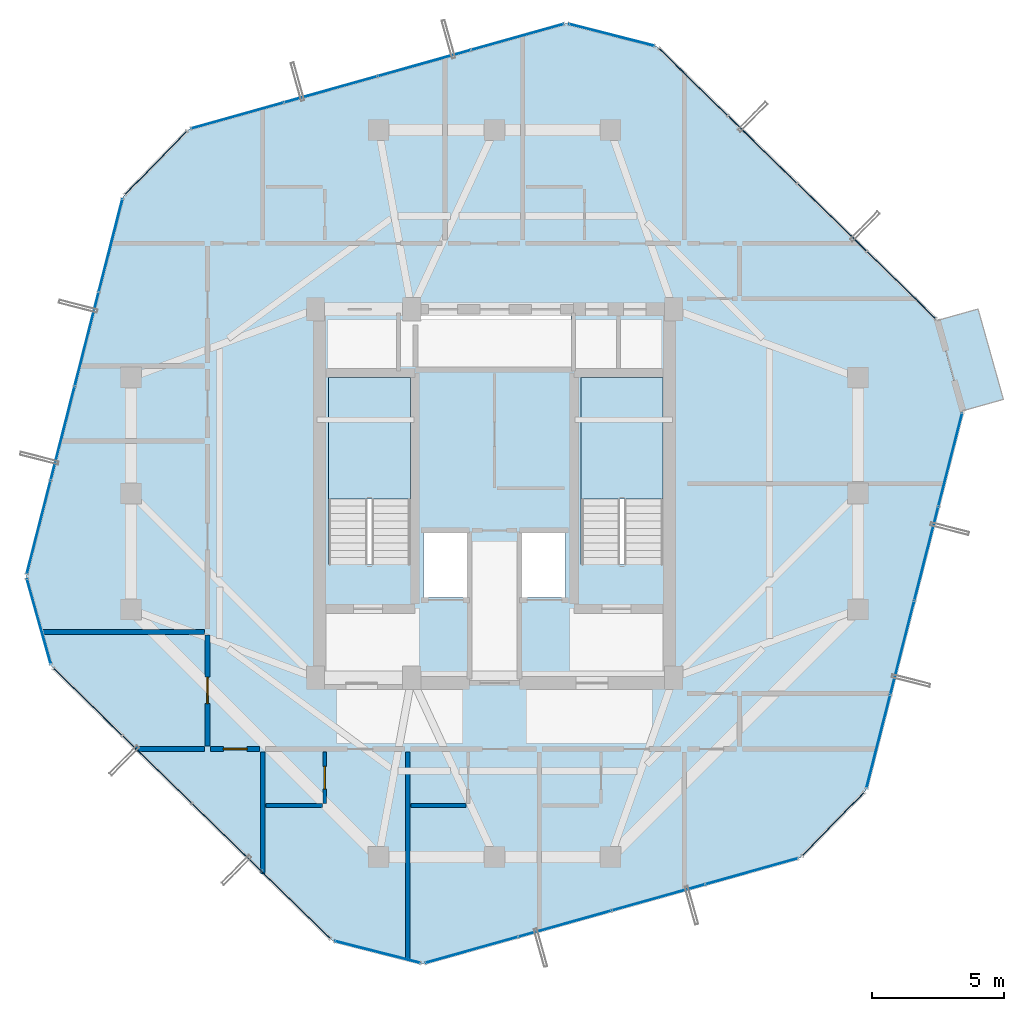
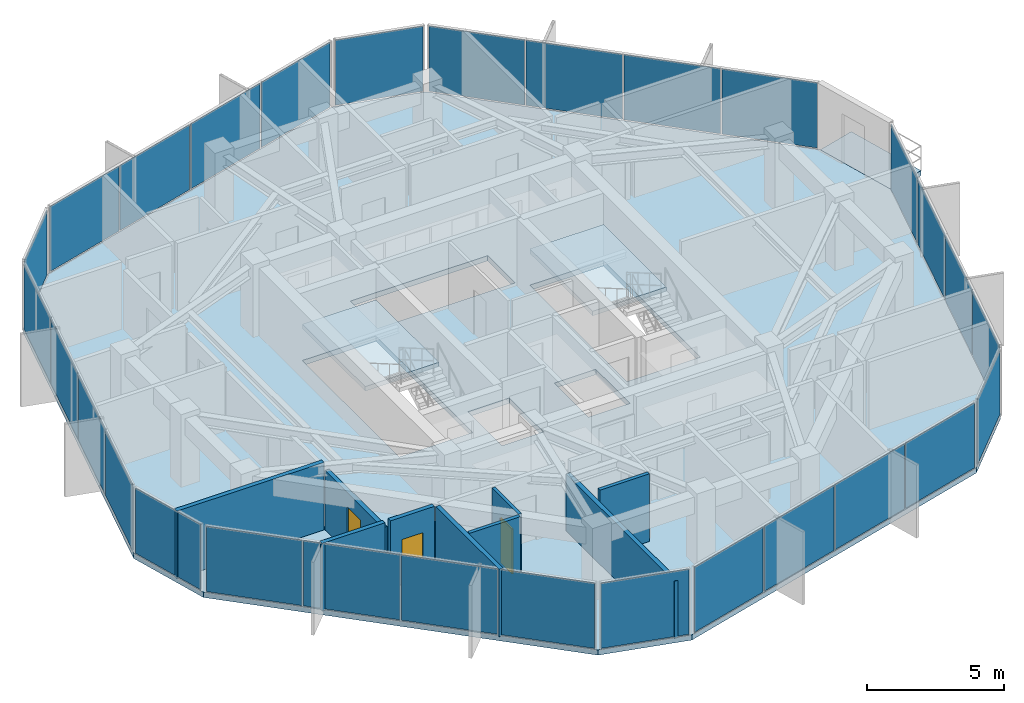
# One storey, part 24 of 29: 29 plates, 9 walls, 4 slabs, 3 doors, 3 openings, 13 elements without a shape of their own.
"""IFC4 building model written with IfcOpenShell, lengths in metres."""

from ifc_helpers import new_model, si_unit, direction, frame, frame_2d, origin, origin_2d, place, context, subcontext, project, spatial, polyline, rectangle, outline, extrude, source, transform, mapped, material, layer, layer_set, type_object, element, fill, aggregate, save


model = new_model("IFC4")

# Units and contexts
model_context = context("Model", 3, precision=1e-05, world=origin(), true_north=direction((0.0, 1.0)))
body_context = subcontext(model_context, "Body", "Model", "MODEL_VIEW")
ifc_project = project(units=[si_unit("LENGTHUNIT", "METRE"), si_unit("AREAUNIT", "SQUARE_METRE"), si_unit("VOLUMEUNIT", "CUBIC_METRE"), si_unit("PLANEANGLEUNIT", "RADIAN"), si_unit("MASSUNIT", "GRAM", prefix="KILO")], contexts=[model_context])

# Site, building, storey
site_placement = place(None, origin())
site = spatial("IfcSite", under=ifc_project, at=site_placement, CompositionType="ELEMENT")
building_placement = place(site_placement, origin())
building = spatial("IfcBuilding", under=site, at=building_placement, Name="Veraguas Prism Commons", CompositionType="ELEMENT")
storey_placement = place(building_placement, frame((0.0, 0.0, 257.75)))
storey = spatial("IfcBuildingStorey", under=building, at=storey_placement, Name="L73", CompositionType="ELEMENT", Elevation=257.75)

# Stair, slab
ifc_material_1 = material(Name="Precast concrete C45/55", Category="concrete")
stair_type = type_object("IfcStairType", Name="Dogleg Core Stair 1480W 20R 05", PredefinedType="HALF_TURN_STAIR", material=ifc_material_1)
stair_1_placement = place(storey_placement, origin())
stair_1 = element("IfcStair", 1, at=stair_1_placement, inside=storey, type_object=stair_type, Name="Protected Exit Stair ST-01 L73", PredefinedType="HALF_TURN_STAIR")
ifc_layer_1 = layer(ifc_material_1, 0.199951171875, Name="Precast Stair and Ramp Landing Slab 200", Category="concrete")
ifc_layer_set_1 = layer_set([ifc_layer_1], Name="Precast concrete C45/55")
slab_type_1 = type_object("IfcSlabType", Name="Precast Stair and Ramp Landing Slab 200", PredefinedType="LANDING", material=ifc_layer_set_1)
slab_1_placement = place(storey_placement, frame((0.0, 0.0, 1.425048828125)))
slab_1 = element("IfcSlab", 2, at=slab_1_placement, type_object=slab_type_1, Name="ST-05 Landing 1", PredefinedType="LANDING", context=body_context, shape_type="SweptSolid", body=[
    extrude(outline(polyline([(20.800048828125, 23.800048828125), (20.800048828125, 28.39990234375), (17.68994140625, 28.39990234375), (17.68994140625, 23.800048828125), (20.800048828125, 23.800048828125)])), origin(), (0.0, 0.0, 1.0), 0.199951171875),
])
aggregate(stair_1, [slab_1])

stair_2_placement = place(storey_placement, origin())
stair_2 = element("IfcStair", 3, at=stair_2_placement, inside=storey, type_object=stair_type, Name="Protected Exit Stair ST-02 L73", PredefinedType="HALF_TURN_STAIR")
slab_2_placement = place(storey_placement, frame((0.0, 0.0, 1.425048828125)))
slab_2 = element("IfcSlab", 4, at=slab_2_placement, type_object=slab_type_1, Name="ST-05 Landing 1", PredefinedType="LANDING", context=body_context, shape_type="SweptSolid", body=[
    extrude(outline(polyline([(30.39990234375, 23.800048828125), (30.39990234375, 28.39990234375), (27.2900390625, 28.39990234375), (27.2900390625, 23.800048828125), (30.39990234375, 23.800048828125)])), origin(), (0.0, 0.0, 1.0), 0.199951171875),
])
aggregate(stair_2, [slab_2])

# Slabs
ifc_material_2 = material(Name="Concrete C45/55", Category="concrete")
ifc_layer_2 = layer(ifc_material_2, 0.219970703125, Name="Recessed Loggia and Terrace Slab RC 220", Category="concrete")
ifc_layer_set_2 = layer_set([ifc_layer_2], Name="Concrete C45/55")
slab_type_2 = type_object("IfcSlabType", Name="Recessed Loggia and Terrace Slab RC 220", PredefinedType="FLOOR", material=ifc_layer_set_2)
slab_3_placement = place(storey_placement, frame((0.0, 0.0, -0.219970703125)))
element("IfcSlab", 5, at=slab_3_placement, inside=storey, type_object=slab_type_2, Name="Recessed Corner Loggia L73-C1", PredefinedType="FLOOR", context=body_context, shape_type="SweptSolid", body=[
    extrude(outline(polyline([(41.764892578125, 27.13671875), (43.32470703125, 27.574462890625), (42.36181640625, 31.00439453125), (40.802001953125, 30.566650390625), (41.764892578125, 27.13671875)])), origin(), (0.0, 0.0, 1.0), 0.219970703125),
])
ifc_layer_3 = layer(ifc_material_2, 0.235107421875, Name="Tower Upper Residential Floor Slab RC 235", Category="concrete")
ifc_layer_set_3 = layer_set([ifc_layer_3], Name="Concrete C45/55")
slab_type_3 = type_object("IfcSlabType", Name="Tower Upper Residential Floor Slab RC 235", PredefinedType="FLOOR", material=ifc_layer_set_3)
slab_4_placement = place(storey_placement, frame((0.0, 0.0, -0.235107421875)))
element("IfcSlab", 6, at=slab_4_placement, inside=storey, type_object=slab_type_3, Name="Tower Floor Slab L73", PredefinedType="FLOOR", context=body_context, shape_type="SweptSolid", body=[
    extrude(outline(polyline([(41.7841796875, 27.14208984375), (40.8212890625, 30.572021484375), (30.1708984375, 40.97265625), (26.718994140625, 41.853759765625), (12.38671875, 37.83056640625), (9.897705078125, 35.28173828125), (6.2158203125, 20.85791015625), (7.1787109375, 17.427978515625), (17.8291015625, 7.02734375), (21.281005859375, 6.146240234375), (35.61328125, 10.16943359375), (38.102294921875, 12.71826171875), (41.7841796875, 27.14208984375)]), holes=[polyline([(20.800048828125, 21.31005859375), (20.800048828125, 28.39990234375), (17.68994140625, 28.39990234375), (17.68994140625, 21.31005859375), (20.800048828125, 21.31005859375)]), polyline([(30.39990234375, 21.31005859375), (30.39990234375, 28.39990234375), (27.2900390625, 28.39990234375), (27.2900390625, 21.31005859375), (30.39990234375, 21.31005859375)]), polyline([(21.10009765625, 28.800048828125), (26.89990234375, 28.800048828125), (26.89990234375, 30.800048828125), (21.10009765625, 30.800048828125), (21.10009765625, 28.800048828125)]), polyline([(21.300048828125, 20.050048828125), (23.050048828125, 20.050048828125), (23.050048828125, 22.550048828125), (21.300048828125, 22.550048828125), (21.300048828125, 20.050048828125)]), polyline([(24.949951171875, 20.050048828125), (26.699951171875, 20.050048828125), (26.699951171875, 22.550048828125), (24.949951171875, 22.550048828125), (24.949951171875, 20.050048828125)])]), origin(), (0.0, 0.0, 1.0), 0.235107421875),
])

# Curtain wall, plates
ifc_material_3 = material(Name="Anodised aluminium EN AW-6063 T6", Category="aluminium")
ifc_layer_4 = layer(ifc_material_3, 0.14990234375, Name="Unitised Flush Curtain Wall Zone 4", Category="aluminium")
ifc_layer_set_4 = layer_set([ifc_layer_4], Name="Anodised aluminium EN AW-6063 T6")
curtain_wall_type = type_object("IfcCurtainWallType", Name="Unitised Flush Curtain Wall Zone 4", PredefinedType="NOTDEFINED", material=ifc_layer_set_4)
curtain_wall_1_placement = place(storey_placement, origin())
curtain_wall_1 = element("IfcCurtainWall", 7, at=curtain_wall_1_placement, inside=storey, type_object=curtain_wall_type, Name="Tower Facade Curtain Wall L73-F1", PredefinedType="NOTDEFINED")
ifc_material_4 = material(Name="Laminated low-e glass", Category="glass")
ifc_layer_5 = layer(ifc_material_4, 0.028076171875, Name="Unitised Double Low-E Glazed Panel 28", Category="glass")
ifc_layer_set_5 = layer_set([ifc_layer_5], Name="Laminated low-e glass")
plate_type = type_object("IfcPlateType", Name="Unitised Double Low-E Glazed Panel 28", PredefinedType="CURTAIN_PANEL", material=ifc_layer_set_5)
shared_shape_1 = source(origin(), body_context, "Body", "SweptSolid", [
    extrude(rectangle(XDim=3.6015625, YDim=0.028076171875, at=origin_2d()), origin(), (0.0, 0.0, 1.0), 2.905029296875),
])
plate_1_placement = place(storey_placement, frame((39.447265625, 31.9140625, 0.05517578125), z_axis=(0.0, 0.0, 1.0), x_axis=(-0.715447677779, 0.698666315462, 0.0)))
plate_1 = element("IfcPlate", 8, at=plate_1_placement, type_object=plate_type, Name="CW-Z4 Panel 1.1", PredefinedType="CURTAIN_PANEL", context=body_context, shape_type="MappedRepresentation", body=[
    mapped(shared_shape_1, transform((0.0, 0.0, 0.0), scale=1.0)),
])
plate_2_placement = place(storey_placement, frame((31.545166015625, 39.630615234375, 0.05517578125), z_axis=(0.0, 0.0, 1.0), x_axis=(-0.715447677779, 0.698666315462, 0.0)))
plate_2 = element("IfcPlate", 9, at=plate_2_placement, type_object=plate_type, Name="CW-Z4 Panel 4.1", PredefinedType="CURTAIN_PANEL", context=body_context, shape_type="MappedRepresentation", body=[
    mapped(shared_shape_1, transform((0.0, 0.0, 0.0), scale=1.0)),
])

curtain_wall_2_placement = place(storey_placement, origin())
curtain_wall_2 = element("IfcCurtainWall", 10, at=curtain_wall_2_placement, inside=storey, type_object=curtain_wall_type, Name="Tower Facade Curtain Wall L73-F2", PredefinedType="NOTDEFINED")
plate_3_placement = place(storey_placement, frame((24.869873046875, 41.334716796875, 0.05517578125), z_axis=(0.0, 0.0, 1.0), x_axis=(-0.962784730035, -0.270269427816, 0.0)))
plate_3 = element("IfcPlate", 11, at=plate_3_placement, type_object=plate_type, Name="CW-Z4 Panel 1.1", PredefinedType="CURTAIN_PANEL", context=body_context, shape_type="MappedRepresentation", body=[
    mapped(shared_shape_1, transform((0.0, 0.0, 0.0), scale=1.0)),
])
plate_4_placement = place(storey_placement, frame((14.236083984375, 38.349609375, 0.05517578125), z_axis=(0.0, 0.0, 1.0), x_axis=(-0.962784730035, -0.270269427816, 0.0)))
plate_4 = element("IfcPlate", 12, at=plate_4_placement, type_object=plate_type, Name="CW-Z4 Panel 4.1", PredefinedType="CURTAIN_PANEL", context=body_context, shape_type="MappedRepresentation", body=[
    mapped(shared_shape_1, transform((0.0, 0.0, 0.0), scale=1.0)),
])

curtain_wall_3_placement = place(storey_placement, origin())
curtain_wall_3 = element("IfcCurtainWall", 13, at=curtain_wall_3_placement, inside=storey, type_object=curtain_wall_type, Name="Tower Facade Curtain Wall L73-F3", PredefinedType="NOTDEFINED")
plate_5_placement = place(storey_placement, frame((9.422607421875, 33.420654296875, 0.05517578125), z_axis=(0.0, 0.0, 1.0), x_axis=(-0.247338939069, -0.968929021766, 0.0)))
plate_5 = element("IfcPlate", 14, at=plate_5_placement, type_object=plate_type, Name="CW-Z4 Panel 1.1", PredefinedType="CURTAIN_PANEL", context=body_context, shape_type="MappedRepresentation", body=[
    mapped(shared_shape_1, transform((0.0, 0.0, 0.0), scale=1.0)),
])
plate_6_placement = place(storey_placement, frame((6.69091796875, 22.718994140625, 0.05517578125), z_axis=(0.0, 0.0, 1.0), x_axis=(-0.247338939069, -0.968929021766, 0.0)))
plate_6 = element("IfcPlate", 15, at=plate_6_placement, type_object=plate_type, Name="CW-Z4 Panel 4.1", PredefinedType="CURTAIN_PANEL", context=body_context, shape_type="MappedRepresentation", body=[
    mapped(shared_shape_1, transform((0.0, 0.0, 0.0), scale=1.0)),
])

curtain_wall_4_placement = place(storey_placement, origin())
curtain_wall_4 = element("IfcCurtainWall", 16, at=curtain_wall_4_placement, inside=storey, type_object=curtain_wall_type, Name="Tower Facade Curtain Wall L73-F4", PredefinedType="NOTDEFINED")
plate_7_placement = place(storey_placement, frame((8.552734375, 16.0859375, 0.05517578125), z_axis=(0.0, 0.0, 1.0), x_axis=(0.715447677779, -0.698666315462, 0.0)))
plate_7 = element("IfcPlate", 17, at=plate_7_placement, type_object=plate_type, Name="CW-Z4 Panel 1.1", PredefinedType="CURTAIN_PANEL", context=body_context, shape_type="MappedRepresentation", body=[
    mapped(shared_shape_1, transform((0.0, 0.0, 0.0), scale=1.0)),
])
plate_8_placement = place(storey_placement, frame((16.454833984375, 8.369384765625, 0.05517578125), z_axis=(0.0, 0.0, 1.0), x_axis=(0.715447677779, -0.698666315462, 0.0)))
plate_8 = element("IfcPlate", 18, at=plate_8_placement, type_object=plate_type, Name="CW-Z4 Panel 4.1", PredefinedType="CURTAIN_PANEL", context=body_context, shape_type="MappedRepresentation", body=[
    mapped(shared_shape_1, transform((0.0, 0.0, 0.0), scale=1.0)),
])

curtain_wall_5_placement = place(storey_placement, origin())
curtain_wall_5 = element("IfcCurtainWall", 19, at=curtain_wall_5_placement, inside=storey, type_object=curtain_wall_type, Name="Tower Facade Curtain Wall L73-F5", PredefinedType="NOTDEFINED")
plate_9_placement = place(storey_placement, frame((23.130126953125, 6.665283203125, 0.05517578125), z_axis=(0.0, 0.0, 1.0), x_axis=(0.962784730035, 0.270269427816, 0.0)))
plate_9 = element("IfcPlate", 20, at=plate_9_placement, type_object=plate_type, Name="CW-Z4 Panel 1.1", PredefinedType="CURTAIN_PANEL", context=body_context, shape_type="MappedRepresentation", body=[
    mapped(shared_shape_1, transform((0.0, 0.0, 0.0), scale=1.0)),
])
plate_10_placement = place(storey_placement, frame((33.763916015625, 9.650390625, 0.05517578125), z_axis=(0.0, 0.0, 1.0), x_axis=(0.962784730035, 0.270269427816, 0.0)))
plate_10 = element("IfcPlate", 21, at=plate_10_placement, type_object=plate_type, Name="CW-Z4 Panel 4.1", PredefinedType="CURTAIN_PANEL", context=body_context, shape_type="MappedRepresentation", body=[
    mapped(shared_shape_1, transform((0.0, 0.0, 0.0), scale=1.0)),
])

curtain_wall_6_placement = place(storey_placement, origin())
curtain_wall_6 = element("IfcCurtainWall", 22, at=curtain_wall_6_placement, inside=storey, type_object=curtain_wall_type, Name="Tower Facade Curtain Wall L73-F6", PredefinedType="NOTDEFINED")
plate_11_placement = place(storey_placement, frame((38.577392578125, 14.579345703125, 0.05517578125), z_axis=(0.0, 0.0, 1.0), x_axis=(0.247338939069, 0.968929021766, 0.0)))
plate_11 = element("IfcPlate", 23, at=plate_11_placement, type_object=plate_type, Name="CW-Z4 Panel 1.1", PredefinedType="CURTAIN_PANEL", context=body_context, shape_type="MappedRepresentation", body=[
    mapped(shared_shape_1, transform((0.0, 0.0, 0.0), scale=1.0)),
])
plate_12_placement = place(storey_placement, frame((41.30908203125, 25.281005859375, 0.05517578125), z_axis=(0.0, 0.0, 1.0), x_axis=(0.247338939069, 0.968929021766, 0.0)))
plate_12 = element("IfcPlate", 24, at=plate_12_placement, type_object=plate_type, Name="CW-Z4 Panel 4.1", PredefinedType="CURTAIN_PANEL", context=body_context, shape_type="MappedRepresentation", body=[
    mapped(shared_shape_1, transform((0.0, 0.0, 0.0), scale=1.0)),
])

# Plate
shared_shape_2 = source(origin(), body_context, "Body", "SweptSolid", [
    extrude(rectangle(XDim=3.631591796875, YDim=0.028076171875, at=origin_2d()), origin(), (0.0, 0.0, 1.0), 2.905029296875),
])
plate_13_placement = place(storey_placement, frame((36.81689453125, 34.482666015625, 0.05517578125), z_axis=(0.0, 0.0, 1.0), x_axis=(-0.715447677779, 0.698666315462, 0.0)))
plate_13 = element("IfcPlate", 25, at=plate_13_placement, type_object=plate_type, Name="CW-Z4 Panel 2.1", PredefinedType="CURTAIN_PANEL", context=body_context, shape_type="MappedRepresentation", body=[
    mapped(shared_shape_2, transform((0.0, 0.0, 0.0), scale=1.0)),
])

plate_14_placement = place(storey_placement, frame((34.175537109375, 37.06201171875, 0.05517578125), z_axis=(0.0, 0.0, 1.0), x_axis=(-0.715447677779, 0.698666315462, 0.0)))
plate_14 = element("IfcPlate", 26, at=plate_14_placement, type_object=plate_type, Name="CW-Z4 Panel 3.1", PredefinedType="CURTAIN_PANEL", context=body_context, shape_type="MappedRepresentation", body=[
    mapped(shared_shape_2, transform((0.0, 0.0, 0.0), scale=1.0)),
])

aggregate(curtain_wall_1, [plate_1, plate_13, plate_14, plate_2])

plate_15_placement = place(storey_placement, frame((21.330078125, 40.341064453125, 0.05517578125), z_axis=(0.0, 0.0, 1.0), x_axis=(-0.962784730035, -0.270269427816, 0.0)))
plate_15 = element("IfcPlate", 27, at=plate_15_placement, type_object=plate_type, Name="CW-Z4 Panel 2.1", PredefinedType="CURTAIN_PANEL", context=body_context, shape_type="MappedRepresentation", body=[
    mapped(shared_shape_2, transform((0.0, 0.0, 0.0), scale=1.0)),
])

plate_16_placement = place(storey_placement, frame((17.77587890625, 39.34326171875, 0.05517578125), z_axis=(0.0, 0.0, 1.0), x_axis=(-0.962784730035, -0.270269427816, 0.0)))
plate_16 = element("IfcPlate", 28, at=plate_16_placement, type_object=plate_type, Name="CW-Z4 Panel 3.1", PredefinedType="CURTAIN_PANEL", context=body_context, shape_type="MappedRepresentation", body=[
    mapped(shared_shape_2, transform((0.0, 0.0, 0.0), scale=1.0)),
])

aggregate(curtain_wall_2, [plate_3, plate_15, plate_16, plate_4])

plate_17_placement = place(storey_placement, frame((8.51318359375, 29.858154296875, 0.05517578125), z_axis=(0.0, 0.0, 1.0), x_axis=(-0.247338939069, -0.968929021766, 0.0)))
plate_17 = element("IfcPlate", 29, at=plate_17_placement, type_object=plate_type, Name="CW-Z4 Panel 2.1", PredefinedType="CURTAIN_PANEL", context=body_context, shape_type="MappedRepresentation", body=[
    mapped(shared_shape_2, transform((0.0, 0.0, 0.0), scale=1.0)),
])

plate_18_placement = place(storey_placement, frame((7.60009765625, 26.28125, 0.05517578125), z_axis=(0.0, 0.0, 1.0), x_axis=(-0.247338939069, -0.968929021766, 0.0)))
plate_18 = element("IfcPlate", 30, at=plate_18_placement, type_object=plate_type, Name="CW-Z4 Panel 3.1", PredefinedType="CURTAIN_PANEL", context=body_context, shape_type="MappedRepresentation", body=[
    mapped(shared_shape_2, transform((0.0, 0.0, 0.0), scale=1.0)),
])

aggregate(curtain_wall_3, [plate_5, plate_17, plate_18, plate_6])

plate_19_placement = place(storey_placement, frame((11.18310546875, 13.517333984375, 0.05517578125), z_axis=(0.0, 0.0, 1.0), x_axis=(0.715447677779, -0.698666315462, 0.0)))
plate_19 = element("IfcPlate", 31, at=plate_19_placement, type_object=plate_type, Name="CW-Z4 Panel 2.1", PredefinedType="CURTAIN_PANEL", context=body_context, shape_type="MappedRepresentation", body=[
    mapped(shared_shape_2, transform((0.0, 0.0, 0.0), scale=1.0)),
])

plate_20_placement = place(storey_placement, frame((13.824462890625, 10.93798828125, 0.05517578125), z_axis=(0.0, 0.0, 1.0), x_axis=(0.715447677779, -0.698666315462, 0.0)))
plate_20 = element("IfcPlate", 32, at=plate_20_placement, type_object=plate_type, Name="CW-Z4 Panel 3.1", PredefinedType="CURTAIN_PANEL", context=body_context, shape_type="MappedRepresentation", body=[
    mapped(shared_shape_2, transform((0.0, 0.0, 0.0), scale=1.0)),
])

aggregate(curtain_wall_4, [plate_7, plate_19, plate_20, plate_8])

plate_21_placement = place(storey_placement, frame((26.669921875, 7.658935546875, 0.05517578125), z_axis=(0.0, 0.0, 1.0), x_axis=(0.962784730035, 0.270269427816, 0.0)))
plate_21 = element("IfcPlate", 33, at=plate_21_placement, type_object=plate_type, Name="CW-Z4 Panel 2.1", PredefinedType="CURTAIN_PANEL", context=body_context, shape_type="MappedRepresentation", body=[
    mapped(shared_shape_2, transform((0.0, 0.0, 0.0), scale=1.0)),
])

plate_22_placement = place(storey_placement, frame((30.22412109375, 8.65673828125, 0.05517578125), z_axis=(0.0, 0.0, 1.0), x_axis=(0.962784730035, 0.270269427816, 0.0)))
plate_22 = element("IfcPlate", 34, at=plate_22_placement, type_object=plate_type, Name="CW-Z4 Panel 3.1", PredefinedType="CURTAIN_PANEL", context=body_context, shape_type="MappedRepresentation", body=[
    mapped(shared_shape_2, transform((0.0, 0.0, 0.0), scale=1.0)),
])

aggregate(curtain_wall_5, [plate_9, plate_21, plate_22, plate_10])

plate_23_placement = place(storey_placement, frame((39.48681640625, 18.141845703125, 0.05517578125), z_axis=(0.0, 0.0, 1.0), x_axis=(0.247338939069, 0.968929021766, 0.0)))
plate_23 = element("IfcPlate", 35, at=plate_23_placement, type_object=plate_type, Name="CW-Z4 Panel 2.1", PredefinedType="CURTAIN_PANEL", context=body_context, shape_type="MappedRepresentation", body=[
    mapped(shared_shape_2, transform((0.0, 0.0, 0.0), scale=1.0)),
])

plate_24_placement = place(storey_placement, frame((40.39990234375, 21.71875, 0.05517578125), z_axis=(0.0, 0.0, 1.0), x_axis=(0.247338939069, 0.968929021766, 0.0)))
plate_24 = element("IfcPlate", 36, at=plate_24_placement, type_object=plate_type, Name="CW-Z4 Panel 3.1", PredefinedType="CURTAIN_PANEL", context=body_context, shape_type="MappedRepresentation", body=[
    mapped(shared_shape_2, transform((0.0, 0.0, 0.0), scale=1.0)),
])

aggregate(curtain_wall_6, [plate_11, plate_23, plate_24, plate_12])

# Curtain wall, plate
curtain_wall_7_placement = place(storey_placement, origin())
curtain_wall_7 = element("IfcCurtainWall", 37, at=curtain_wall_7_placement, inside=storey, type_object=curtain_wall_type, Name="Chamfer Curtain Wall L73-C3", PredefinedType="NOTDEFINED")
shared_shape_3 = source(origin(), body_context, "Body", "SweptSolid", [
    extrude(rectangle(XDim=3.322509765625, YDim=0.028076171875, at=origin_2d()), origin(), (0.0, 0.0, 1.0), 2.905029296875),
])
plate_25_placement = place(storey_placement, frame((11.14208984375, 36.55615234375, 0.05517578125), z_axis=(0.0, 0.0, 1.0), x_axis=(-0.698662569377, -0.715451335977, 0.0)))
plate_25 = element("IfcPlate", 38, at=plate_25_placement, type_object=plate_type, Name="CW-Z4 Panel 1.1", PredefinedType="CURTAIN_PANEL", context=body_context, shape_type="MappedRepresentation", body=[
    mapped(shared_shape_3, transform((0.0, 0.0, 0.0), scale=1.0)),
])
aggregate(curtain_wall_7, [plate_25])

curtain_wall_8_placement = place(storey_placement, origin())
curtain_wall_8 = element("IfcCurtainWall", 39, at=curtain_wall_8_placement, inside=storey, type_object=curtain_wall_type, Name="Chamfer Curtain Wall L73-C4", PredefinedType="NOTDEFINED")
plate_26_placement = place(storey_placement, frame((6.697265625, 19.14306640625, 0.05517578125), z_axis=(0.0, 0.0, 1.0), x_axis=(0.270274468942, -0.962783314894, 0.0)))
plate_26 = element("IfcPlate", 40, at=plate_26_placement, type_object=plate_type, Name="CW-Z4 Panel 1.1", PredefinedType="CURTAIN_PANEL", context=body_context, shape_type="MappedRepresentation", body=[
    mapped(shared_shape_3, transform((0.0, 0.0, 0.0), scale=1.0)),
])
aggregate(curtain_wall_8, [plate_26])

curtain_wall_9_placement = place(storey_placement, origin())
curtain_wall_9 = element("IfcCurtainWall", 41, at=curtain_wall_9_placement, inside=storey, type_object=curtain_wall_type, Name="Chamfer Curtain Wall L73-C6", PredefinedType="NOTDEFINED")
plate_27_placement = place(storey_placement, frame((36.85791015625, 11.44384765625, 0.05517578125), z_axis=(0.0, 0.0, 1.0), x_axis=(0.698662569377, 0.715451335977, 0.0)))
plate_27 = element("IfcPlate", 42, at=plate_27_placement, type_object=plate_type, Name="CW-Z4 Panel 1.1", PredefinedType="CURTAIN_PANEL", context=body_context, shape_type="MappedRepresentation", body=[
    mapped(shared_shape_3, transform((0.0, 0.0, 0.0), scale=1.0)),
])
aggregate(curtain_wall_9, [plate_27])

curtain_wall_10_placement = place(storey_placement, origin())
curtain_wall_10 = element("IfcCurtainWall", 43, at=curtain_wall_10_placement, inside=storey, type_object=curtain_wall_type, Name="Chamfer Curtain Wall L73-C2", PredefinedType="NOTDEFINED")
shared_shape_4 = source(origin(), body_context, "Body", "SweptSolid", [
    extrude(rectangle(XDim=3.32275390625, YDim=0.028076171875, at=origin_2d()), origin(), (0.0, 0.0, 1.0), 2.905029296875),
])
plate_28_placement = place(storey_placement, frame((28.445068359375, 41.4130859375, 0.05517578125), z_axis=(0.0, 0.0, 1.0), x_axis=(-0.968922546116, 0.247364305486, 0.0)))
plate_28 = element("IfcPlate", 44, at=plate_28_placement, type_object=plate_type, Name="CW-Z4 Panel 1.1", PredefinedType="CURTAIN_PANEL", context=body_context, shape_type="MappedRepresentation", body=[
    mapped(shared_shape_4, transform((0.0, 0.0, 0.0), scale=1.0)),
])
aggregate(curtain_wall_10, [plate_28])

curtain_wall_11_placement = place(storey_placement, origin())
curtain_wall_11 = element("IfcCurtainWall", 45, at=curtain_wall_11_placement, inside=storey, type_object=curtain_wall_type, Name="Chamfer Curtain Wall L73-C5", PredefinedType="NOTDEFINED")
plate_29_placement = place(storey_placement, frame((19.554931640625, 6.5869140625, 0.05517578125), z_axis=(0.0, 0.0, 1.0), x_axis=(0.968922546116, -0.247364305486, 0.0)))
plate_29 = element("IfcPlate", 46, at=plate_29_placement, type_object=plate_type, Name="CW-Z4 Panel 1.1", PredefinedType="CURTAIN_PANEL", context=body_context, shape_type="MappedRepresentation", body=[
    mapped(shared_shape_4, transform((0.0, 0.0, 0.0), scale=1.0)),
])
aggregate(curtain_wall_11, [plate_29])

# Walls
ifc_material_5 = material(Name="Autoclaved aerated masonry block 10 MPa", Category="masonry")
ifc_layer_6 = layer(ifc_material_5, 0.179931640625, Name="Corridor and Inter-Tenancy Partition 180", Category="masonry")
ifc_layer_set_6 = layer_set([ifc_layer_6], Name="Autoclaved aerated masonry block 10 MPa")
wall_type_1 = type_object("IfcWallType", Name="Corridor and Inter-Tenancy Partition 180", PredefinedType="PARTITIONING", material=ifc_layer_set_6)
wall_1_placement = place(storey_placement, frame((15.199951171875, 14.179931640625, 0.0), z_axis=(0.0, 0.0, 1.0), x_axis=(0.0, -1.0, 0.0)))
element("IfcWall", 47, at=wall_1_placement, inside=storey, type_object=wall_type_1, Name="WL-L73-PT001", PredefinedType="PARTITIONING", context=body_context, shape_type="SweptSolid", body=[
    extrude(rectangle(XDim=4.627197265625, YDim=0.179931640625, at=frame_2d((2.3134765625, 0.0))), origin(), (0.0, 0.0, 1.0), 3.014892578125),
])
wall_2_placement = place(storey_placement, frame((20.705078125, 14.179931640625, 0.0), z_axis=(0.0, 0.0, 1.0), x_axis=(0.0, -1.0, 0.0)))
element("IfcWall", 48, at=wall_2_placement, inside=storey, type_object=wall_type_1, Name="WL-L73-PT006", PredefinedType="PARTITIONING", context=body_context, shape_type="SweptSolid", body=[
    extrude(rectangle(XDim=7.917724609375, YDim=0.179931640625, at=frame_2d((3.958984375, 0.0))), origin(), (0.0, 0.0, 1.0), 2.54296875),
])
wall_3_placement = place(storey_placement, frame((12.97998046875, 14.300048828125, 0.0), z_axis=(0.0, 0.0, 1.0), x_axis=(-1.0, 0.0, 0.0)))
element("IfcWall", 49, at=wall_3_placement, inside=storey, type_object=wall_type_1, Name="WL-L73-PT025", PredefinedType="PARTITIONING", context=body_context, shape_type="SweptSolid", body=[
    extrude(rectangle(XDim=2.64111328125, YDim=0.179931640625, at=frame_2d((1.320556640625, 0.0))), origin(), (0.0, 0.0, 1.0), 3.014892578125),
])

# Wall, opening, door
wall_4_placement = place(storey_placement, frame((13.10009765625, 14.409912109375, 0.0), z_axis=(0.0, 0.0, 1.0), x_axis=(0.0, 1.0, 0.0)))
wall_4 = element("IfcWall", 50, at=wall_4_placement, inside=storey, type_object=wall_type_1, Name="WL-L73-PT027", PredefinedType="PARTITIONING", context=body_context, shape_type="SweptSolid", body=[
    extrude(rectangle(XDim=4.22412109375, YDim=0.179931640625, at=frame_2d((2.112060546875, 0.0))), origin(), (0.0, 0.0, 1.0), 2.662109375),
])
opening_1_placement = place(wall_4_placement, frame((1.612060546875, 0.0, 0.0)))
opening_1 = element("IfcOpeningElement", 51, at=opening_1_placement, cuts=wall_4, Name="Opening DR-13", PredefinedType="OPENING", context=body_context, shape_type="SweptSolid", body=[
    extrude(rectangle(XDim=1.0, YDim=2.010009765625, at=frame_2d((0.5, 1.0048828125))), frame((0.0, 0.099853515625, 0.0), z_axis=(0.0, -1.0, 0.0), x_axis=(1.0, 0.0, 0.0)), (0.0, 0.0, 1.0), 0.199951171875),
])
ifc_material_6 = material(Name="Steel fire-rated door assembly", Category="steel")
door_type_1 = type_object("IfcDoorType", Name="Core Accessible WC and Clinic Fire Door 1000x2010", OperationType="NOTDEFINED", PredefinedType="DOOR", material=ifc_material_6)
shared_shape_5 = source(origin(), body_context, "Body", "SweptSolid", [
    extrude(rectangle(XDim=1.0, YDim=2.010009765625, at=frame_2d((0.5, 1.0048828125))), frame((0.0, 0.02490234375, 0.0), z_axis=(0.0, -1.0, 0.0), x_axis=(1.0, 0.0, 0.0)), (0.0, 0.0, 1.0), 0.050048828125),
])
door_1_placement = place(opening_1_placement, origin())
door_1 = element("IfcDoor", 52, at=door_1_placement, inside=storey, type_object=door_type_1, Name="Community Co-op Kitchen Door", OperationType="SINGLE_SWING_LEFT", OverallHeight=2.010009765625, OverallWidth=1.0, PredefinedType="DOOR", context=body_context, shape_type="MappedRepresentation", body=[
    mapped(shared_shape_5, transform((0.0, 0.0, 0.0), scale=1.0)),
])
fill(opening_1, door_1)

# Wall
wall_5_placement = place(storey_placement, frame((12.97998046875, 18.743896484375, 0.0), z_axis=(0.0, 0.0, 1.0), x_axis=(-1.0, 0.0, 0.0)))
element("IfcWall", 53, at=wall_5_placement, inside=storey, type_object=wall_type_1, Name="WL-L73-PT029", PredefinedType="PARTITIONING", context=body_context, shape_type="SweptSolid", body=[
    extrude(rectangle(XDim=6.201904296875, YDim=0.179931640625, at=frame_2d((3.10107421875, 0.0))), origin(), (0.0, 0.0, 1.0), 3.014892578125),
])

# Wall, opening, door
wall_6_placement = place(storey_placement, frame((13.219970703125, 14.300048828125, 0.0), z_axis=(0.0, 0.0, 1.0), x_axis=(1.0, 0.0, 0.0)))
wall_6 = element("IfcWall", 54, at=wall_6_placement, inside=storey, type_object=wall_type_1, Name="WL-L73-PT041", PredefinedType="PARTITIONING", context=body_context, shape_type="SweptSolid", body=[
    extrude(rectangle(XDim=1.860107421875, YDim=0.179931640625, at=frame_2d((0.93017578125, 0.0))), origin(), (0.0, 0.0, 1.0), 3.014892578125),
])
opening_2_placement = place(wall_6_placement, frame((0.47998046875, 0.0, 0.0)))
opening_2 = element("IfcOpeningElement", 55, at=opening_2_placement, cuts=wall_6, Name="Opening DR-14", PredefinedType="OPENING", context=body_context, shape_type="SweptSolid", body=[
    extrude(rectangle(XDim=0.89990234375, YDim=2.010009765625, at=frame_2d((0.449951171875, 1.0048828125))), frame((0.0, 0.099853515625, 0.0), z_axis=(0.0, -1.0, 0.0), x_axis=(1.0, 0.0, 0.0)), (0.0, 0.0, 1.0), 0.199951171875),
])
door_type_2 = type_object("IfcDoorType", Name="Core Service Room Fire Door 900x2010", OperationType="NOTDEFINED", PredefinedType="DOOR", material=ifc_material_6)
shared_shape_6 = source(origin(), body_context, "Body", "SweptSolid", [
    extrude(rectangle(XDim=0.89990234375, YDim=2.010009765625, at=frame_2d((0.449951171875, 1.0048828125))), frame((0.0, 0.02490234375, 0.0), z_axis=(0.0, -1.0, 0.0), x_axis=(1.0, 0.0, 0.0)), (0.0, 0.0, 1.0), 0.050048828125),
])
door_2_placement = place(opening_2_placement, origin())
door_2 = element("IfcDoor", 56, at=door_2_placement, inside=storey, type_object=door_type_2, Name="Residents Study Room SW Door", OperationType="SINGLE_SWING_LEFT", OverallHeight=2.010009765625, OverallWidth=0.89990234375, PredefinedType="DOOR", context=body_context, shape_type="MappedRepresentation", body=[
    mapped(shared_shape_6, transform((0.0, 0.0, 0.0), scale=1.0)),
])
fill(opening_2, door_2)

ifc_material_7 = material(Name="Lightweight acoustic gypsum board")
ifc_layer_7 = layer(ifc_material_7, 0.125, Name="Internal Apartment Room Partition 125")
ifc_layer_set_7 = layer_set([ifc_layer_7], Name="Lightweight acoustic gypsum board")
wall_type_2 = type_object("IfcWallType", Name="Internal Apartment Room Partition 125", PredefinedType="PARTITIONING", material=ifc_layer_set_7)
wall_7_placement = place(storey_placement, frame((17.550048828125, 14.179931640625, 0.0), z_axis=(0.0, 0.0, 1.0), x_axis=(0.0, -1.0, 0.0)))
wall_7 = element("IfcWall", 57, at=wall_7_placement, inside=storey, type_object=wall_type_2, Name="WL-L73-PT004", PredefinedType="PARTITIONING", context=body_context, shape_type="SweptSolid", body=[
    extrude(rectangle(XDim=1.949951171875, YDim=0.125, at=frame_2d((0.97509765625, 0.0))), origin(), (0.0, 0.0, 1.0), 3.014892578125),
])
opening_3_placement = place(wall_7_placement, frame((0.544921875, 0.0, 0.0)))
opening_3 = element("IfcOpeningElement", 58, at=opening_3_placement, cuts=wall_7, Name="Opening DR-03", PredefinedType="OPENING", context=body_context, shape_type="SweptSolid", body=[
    extrude(rectangle(XDim=0.860107421875, YDim=2.010009765625, at=frame_2d((0.43017578125, 1.0048828125))), frame((0.0, 0.072509765625, 0.0), z_axis=(0.0, -1.0, 0.0), x_axis=(1.0, 0.0, 0.0)), (0.0, 0.0, 1.0), 0.14501953125),
])
ifc_material_8 = material(Name="Timber moisture-resistant leaf", Category="wood")
door_type_3 = type_object("IfcDoorType", Name="Internal Bathroom Door 860x2010", OperationType="NOTDEFINED", PredefinedType="DOOR", material=ifc_material_8)
shared_shape_7 = source(origin(), body_context, "Body", "SweptSolid", [
    extrude(rectangle(XDim=0.860107421875, YDim=2.010009765625, at=frame_2d((0.43017578125, 1.0048828125))), frame((0.0, 0.02490234375, 0.0), z_axis=(0.0, -1.0, 0.0), x_axis=(1.0, 0.0, 0.0)), (0.0, 0.0, 1.0), 0.050048828125),
])
door_3_placement = place(opening_3_placement, origin())
door_3 = element("IfcDoor", 59, at=door_3_placement, inside=storey, type_object=door_type_3, Name="Studio 73A Bathroom Door", OperationType="SINGLE_SWING_LEFT", OverallHeight=2.010009765625, OverallWidth=0.860107421875, PredefinedType="DOOR", context=body_context, shape_type="MappedRepresentation", body=[
    mapped(shared_shape_7, transform((0.0, 0.0, 0.0), scale=1.0)),
])
fill(opening_3, door_3)

# Walls
ifc_layer_8 = layer(ifc_material_7, 0.14990234375, Name="Wet Room and Clinic Acoustic Partition 150")
ifc_layer_set_8 = layer_set([ifc_layer_8], Name="Lightweight acoustic gypsum board")
wall_type_3 = type_object("IfcWallType", Name="Wet Room and Clinic Acoustic Partition 150", PredefinedType="PARTITIONING", material=ifc_layer_set_8)
wall_8_placement = place(storey_placement, frame((15.320068359375, 12.14990234375, 0.0), z_axis=(0.0, 0.0, 1.0), x_axis=(1.0, 0.0, 0.0)))
element("IfcWall", 60, at=wall_8_placement, inside=storey, type_object=wall_type_3, Name="WL-L73-PT005", PredefinedType="PARTITIONING", context=body_context, shape_type="SweptSolid", body=[
    extrude(rectangle(XDim=2.14990234375, YDim=0.14990234375, at=frame_2d((1.074951171875, 0.0))), origin(), (0.0, 0.0, 1.0), 3.014892578125),
])
wall_9_placement = place(storey_placement, frame((20.824951171875, 12.14990234375, 0.0), z_axis=(0.0, 0.0, 1.0), x_axis=(1.0, 0.0, 0.0)))
element("IfcWall", 61, at=wall_9_placement, inside=storey, type_object=wall_type_3, Name="WL-L73-PT009", PredefinedType="PARTITIONING", context=body_context, shape_type="SweptSolid", body=[
    extrude(rectangle(XDim=2.094970703125, YDim=0.14990234375, at=frame_2d((1.04736328125, 0.0))), origin(), (0.0, 0.0, 1.0), 3.014892578125),
])

save(model, "model.ifc")
